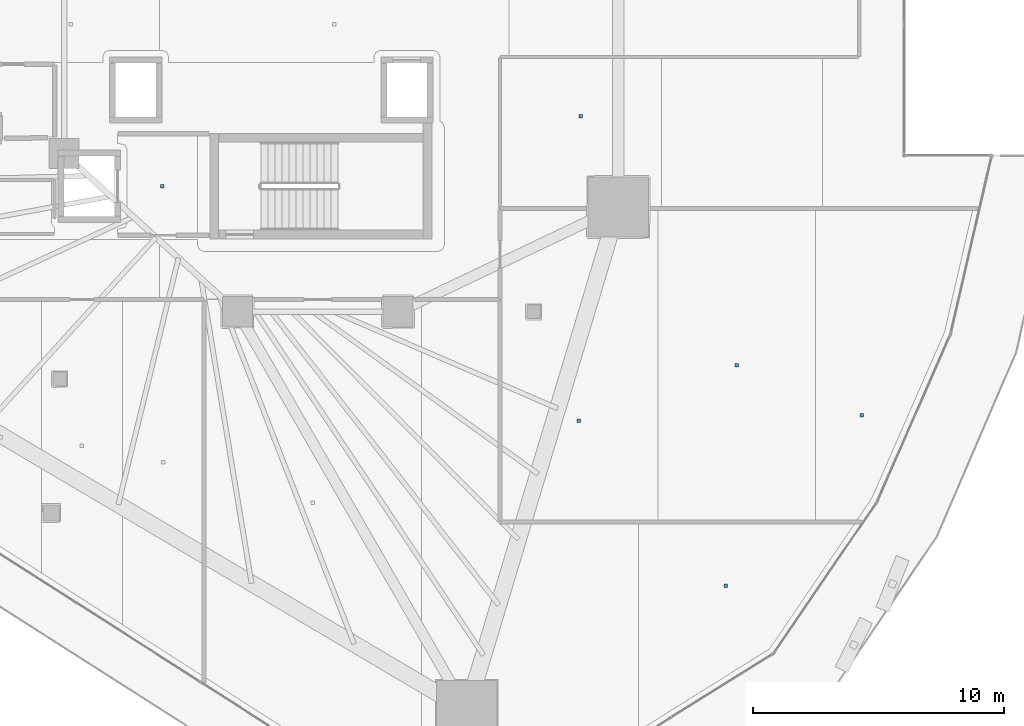
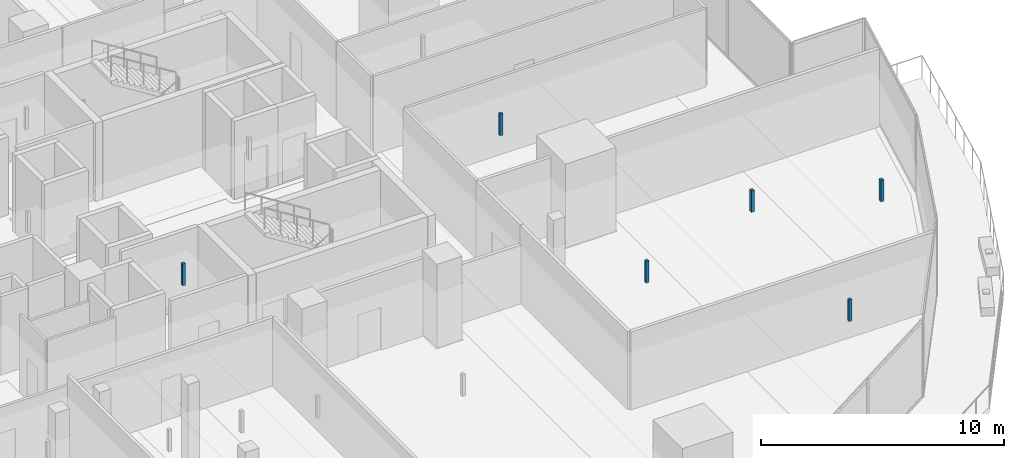
# One storey, part 33 of 45: 6 discrete accessories.
"""IFC4 building model written with IfcOpenShell, lengths in metres."""

import ifcopenshell
import ifcopenshell.guid

model = None  # the IFC model being written
_history = None  # IfcOwnerHistory: only IFC2X3 demands one
_inside = {}  # id of a spatial element -> (the spatial element, [elements in it])
_under = {}  # id of a project, library or spatial element -> (it, [spatial elements below it])
_declared = {}  # id of a project -> (the project, [libraries it declares])
_typed = {}  # id of a type object -> (the type object, [elements of that type])
_made_of = {}  # id of a material, layer set ... -> (it, [elements and type objects made of it])


def new_model(schema):
    """Start an empty IFC model of exactly this schema.

    Asked for "IFC4X3", IfcOpenShell would pick the latest addendum, in which some entities
    have other attributes; the version numbers below select the first issue.
    IFC2X3 requires an IfcOwnerHistory on every rooted entity: one is made here for all.
    """
    global model, _history
    if schema == "IFC4X3":
        model = ifcopenshell.file(schema_version=(4, 3, 0, 0))
    else:
        model = ifcopenshell.file(schema=schema)
    _inside.clear()
    _under.clear()
    _declared.clear()
    _typed.clear()
    _made_of.clear()
    _history = None
    if model.schema == "IFC2X3":
        org = make("IfcOrganization", Name="unknown")
        user = make(
            "IfcPersonAndOrganization",
            ThePerson=make("IfcPerson", FamilyName="unknown"),
            TheOrganization=org,
        )
        app = make(
            "IfcApplication",
            ApplicationDeveloper=org,
            Version="unknown",
            ApplicationFullName="unknown",
            ApplicationIdentifier="unknown",
        )
        _history = make(
            "IfcOwnerHistory",
            OwningUser=user,
            OwningApplication=app,
            ChangeAction="ADDED",
            CreationDate=0,
        )
    return model


def make(cls, **values):
    """One entity of the class cls with the attributes given. An attribute that is None is left unset."""
    return model.create_entity(
        cls, **{name: value for name, value in values.items() if value is not None}
    )


def rooted(cls, **values):
    """An entity with a GlobalId (a new one), such as an element, a storey or a relation."""
    return make(cls, GlobalId=ifcopenshell.guid.new(), OwnerHistory=_history, **values)


def si_unit(unit_type, name, prefix=None):
    """IfcSIUnit, for example si_unit("LENGTHUNIT", "METRE", prefix="MILLI")."""
    return make("IfcSIUnit", UnitType=unit_type, Prefix=prefix, Name=name)


def assignment(units):
    """IfcUnitAssignment: the units of a project."""
    return None if units is None else make("IfcUnitAssignment", Units=units)


def point(xyz):
    """IfcCartesianPoint."""
    return None if xyz is None else make("IfcCartesianPoint", Coordinates=xyz)


def direction(xyz):
    """IfcDirection."""
    return None if xyz is None else make("IfcDirection", DirectionRatios=xyz)


def frame(location, z_axis=None, x_axis=None):
    """IfcAxis2Placement3D, a coordinate frame: its origin and axes. An axis left out is left unset."""
    return make(
        "IfcAxis2Placement3D",
        Location=point(location),
        Axis=direction(z_axis),
        RefDirection=direction(x_axis),
    )


def frame_2d(location, x_axis=None):
    """IfcAxis2Placement2D, a coordinate frame in the plane: its origin and x axis."""
    return make(
        "IfcAxis2Placement2D", Location=point(location), RefDirection=direction(x_axis)
    )


def origin():
    """The frame at (0, 0, 0) with its axes left unset."""
    return frame((0.0, 0.0, 0.0))


def origin_2d():
    """The frame at (0, 0) in the plane with its x axis left unset."""
    return frame_2d((0.0, 0.0))


def place(relative_to, where):
    """IfcLocalPlacement: puts the frame where relative to a parent placement (None: the world)."""
    return make(
        "IfcLocalPlacement", PlacementRelTo=relative_to, RelativePlacement=where
    )


def context(
    kind, dimensions, precision=None, world=None, true_north=None, identifier=None
):
    """IfcGeometricRepresentationContext, for example the 3D "Model" context."""
    return make(
        "IfcGeometricRepresentationContext",
        ContextIdentifier=identifier,
        ContextType=kind,
        CoordinateSpaceDimension=dimensions,
        Precision=precision,
        WorldCoordinateSystem=world,
        TrueNorth=true_north,
    )


def subcontext(parent, identifier, kind, view, scale=None):
    """IfcGeometricRepresentationSubContext, for example "Body" below "Model"."""
    return make(
        "IfcGeometricRepresentationSubContext",
        ContextIdentifier=identifier,
        ContextType=kind,
        ParentContext=parent,
        TargetScale=scale,
        TargetView=view,
    )


def project(units=None, contexts=None):
    """IfcProject with its units and contexts."""
    return rooted(
        "IfcProject",
        Name="project",
        RepresentationContexts=contexts,
        UnitsInContext=assignment(units),
    )


def spatial(cls, under=None, at=None, **own):
    """A site, building, storey or space (cls), placed at a placement, below another one or the project."""
    s = rooted(cls, ObjectPlacement=at, **own)
    if under is not None:
        _under.setdefault(under.id(), (under, []))[1].append(s)
    return s


def profile(cls, at=None, kind="AREA", **sizes):
    """A parametric profile (cls). Its sizes go by their IFC names, for example OverallWidth=200.0."""
    return make(cls, ProfileType=kind, Position=at, **sizes)


def rectangle(**sizes):
    """IfcRectangleProfileDef."""
    return profile("IfcRectangleProfileDef", **sizes)


def extrude(swept, where, along, depth):
    """IfcExtrudedAreaSolid: the profile swept, set in the frame where, extruded along a direction by depth."""
    return make(
        "IfcExtrudedAreaSolid",
        SweptArea=swept,
        Position=where,
        ExtrudedDirection=direction(along),
        Depth=depth,
    )


def shape(context_of_items, identifier, shape_type, items):
    """IfcShapeRepresentation: the items that make up one representation, for example the "Body"."""
    return make(
        "IfcShapeRepresentation",
        ContextOfItems=context_of_items,
        RepresentationIdentifier=identifier,
        RepresentationType=shape_type,
        Items=items,
    )


def material(Name=None, Category=None):
    """IfcMaterial."""
    return make("IfcMaterial", Name=Name, Category=Category)


def made_of(thing, what):
    """Note that an element or type object is made of a material, layer set ...; save() writes the relation."""
    if what is not None:
        _made_of.setdefault(what.id(), (what, []))[1].append(thing)
    return thing


def type_object(cls, material=None, **own):
    """A type object (cls), such as IfcWallType, which elements share."""
    return made_of(rooted(cls, **own), material)


def element(
    cls,
    number,
    at=None,
    inside=None,
    cuts=None,
    type_object=None,
    material=None,
    context=None,
    identifier="Body",
    shape_type=None,
    held_by="IfcProductDefinitionShape",
    body=None,
    shapes=None,
    **own,
):
    """One element of the class cls, such as IfcWall. Its Tag is "e" and its number.

    at: its placement. inside: the storey or other place that contains it. cuts: it is an
    opening in that element (IfcRelVoidsElement). A single representation is given by context,
    identifier, shape_type and body (its items); several are given by shapes. held_by: the class
    of the entity that holds the representations. save() writes the other relations.
    """
    e = rooted(cls, Tag="e%d" % number, ObjectPlacement=at, **own)
    if body is not None:
        shapes = [shape(context, identifier, shape_type, body)]
    if shapes is not None:
        e.Representation = make(held_by, Representations=shapes)
    if inside is not None:
        _inside.setdefault(inside.id(), (inside, []))[1].append(e)
    if cuts is not None:
        rooted(
            "IfcRelVoidsElement", RelatingBuildingElement=cuts, RelatedOpeningElement=e
        )
    if type_object is not None:
        _typed.setdefault(type_object.id(), (type_object, []))[1].append(e)
    return made_of(e, material)


def aggregate(whole, parts):
    """IfcRelAggregates: a whole, such as a stair, and the parts it consists of."""
    return rooted("IfcRelAggregates", RelatingObject=whole, RelatedObjects=parts)


def save(model, path):
    """Write the relations noted so far, then the file.

    IfcRelAggregates (storeys below a building ...), IfcRelContainedInSpatialStructure (elements
    in a storey), IfcRelDefinesByType, IfcRelAssociatesMaterial and IfcRelDeclares: one each for
    every whole, place, type object, material and project.
    """
    for whole, parts in _under.values():
        aggregate(whole, parts)
    for where, things in _inside.values():
        rooted(
            "IfcRelContainedInSpatialStructure",
            RelatedElements=things,
            RelatingStructure=where,
        )
    for kind, things in _typed.values():
        rooted("IfcRelDefinesByType", RelatedObjects=things, RelatingType=kind)
    for what, things in _made_of.values():
        rooted("IfcRelAssociatesMaterial", RelatedObjects=things, RelatingMaterial=what)
    for by, libraries in _declared.values():
        rooted("IfcRelDeclares", RelatingContext=by, RelatedDefinitions=libraries)
    model.write(path)


model = new_model("IFC4")

# Units and contexts
model_context = context("Model", 3, precision=1e-05, world=origin(), true_north=direction((0.0, 1.0)))
body_context = subcontext(model_context, "Body", "Model", "MODEL_VIEW")
ifc_project = project(units=[si_unit("LENGTHUNIT", "METRE"), si_unit("AREAUNIT", "SQUARE_METRE"), si_unit("VOLUMEUNIT", "CUBIC_METRE"), si_unit("PLANEANGLEUNIT", "RADIAN"), si_unit("MASSUNIT", "GRAM", prefix="KILO")], contexts=[model_context])

# Site, building, storey
site_placement = place(None, origin())
site = spatial("IfcSite", under=ifc_project, at=site_placement, CompositionType="ELEMENT")
building_placement = place(site_placement, origin())
building = spatial("IfcBuilding", under=site, at=building_placement, Name="Qorvath Tower", CompositionType="ELEMENT")
storey_placement = place(building_placement, frame((0.0, 0.0, 66.0)))
storey = spatial("IfcBuildingStorey", under=building, at=storey_placement, Name="L14", CompositionType="ELEMENT", Elevation=66.0)

# Discrete accessories
ifc_material = material(Name="Galvanised steel bracket", Category="steel")
discrete_accessory_type = type_object("IfcDiscreteAccessoryType", Name="DA-BRACKET", PredefinedType="BRACKET", material=ifc_material)
for number, where, z_axis, x_axis, name in (
    (1, (-26.590087890625, -6.449951171875, 2.860107421875), (0.0, 0.0, 1.0), (1.0, 0.0, 0.0), "Acoustic Ceiling Suspension Hanger T1-L14-002"),
    (2, (-4.159423828125, -22.352294921875, 2.860107421875), (0.0, 0.0, 1.0), (1.0, 0.0, 0.0), "Acoustic Ceiling Suspension Hanger T1-L14-026"),
    (3, (-9.99853515625, -15.794189453125, 2.860107421875), (0.0, 0.0, 1.0), (1.0, 0.0, 0.0), "Acoustic Ceiling Suspension Hanger T1-L14-027"),
    (4, (-3.721923828125, -13.57373046875, 2.860107421875), (0.0, 0.0, 1.0), (1.0, 0.0, 0.0), "Acoustic Ceiling Suspension Hanger T1-L14-028"),
    (5, (1.260009765625, -15.578857421875, 2.860107421875), (0.0, 0.0, 1.0), (1.0, 0.0, 0.0), "Acoustic Ceiling Suspension Hanger T1-L14-029"),
    (6, (-9.92724609375, -3.664794921875, 2.860107421875), (0.0, 0.0, 1.0), (1.0, 0.0, 0.0), "Acoustic Ceiling Suspension Hanger T1-L14-030"),
):
    element("IfcDiscreteAccessory", number, at=place(storey_placement, frame(where, z_axis=z_axis, x_axis=x_axis)), inside=storey, type_object=discrete_accessory_type, Name=name, PredefinedType="NOTDEFINED", context=body_context, shape_type="SweptSolid", body=[
        extrude(rectangle(XDim=0.139892578125, YDim=0.139892578125, at=origin_2d()), origin(), (0.0, 0.0, 1.0), 1.08984375),
    ])

save(model, "model.ifc")
